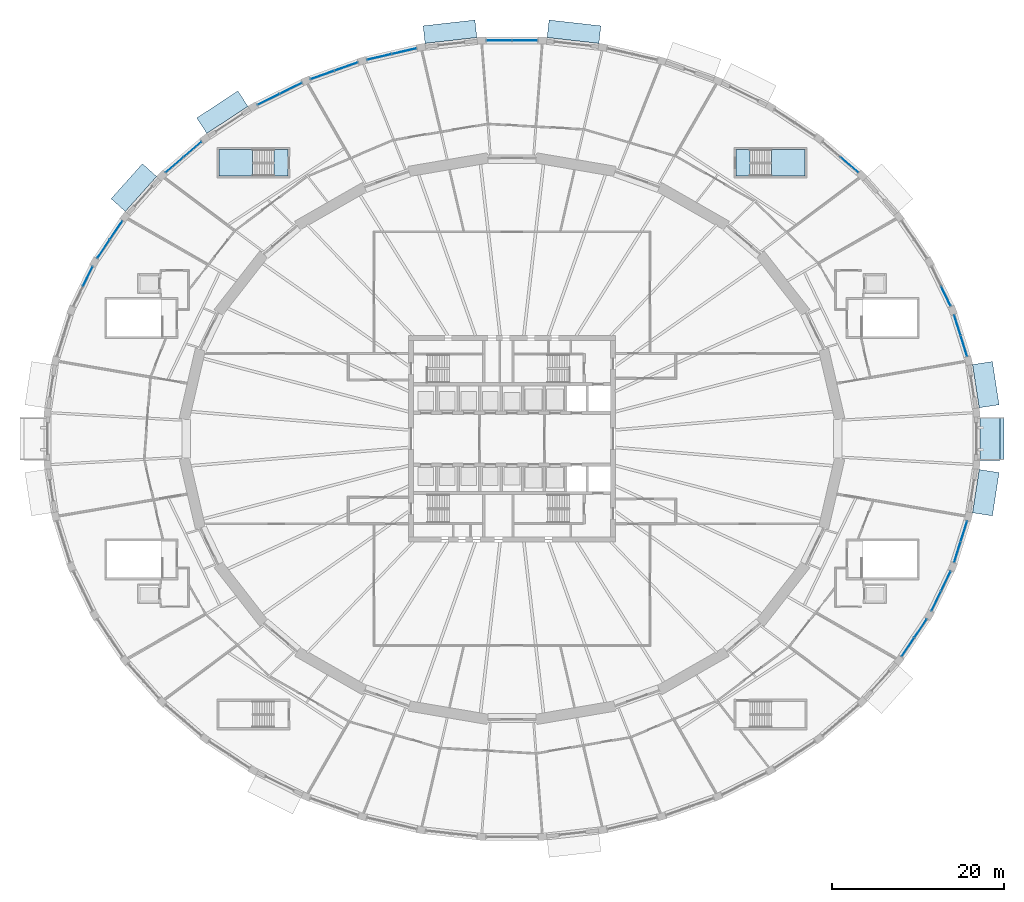
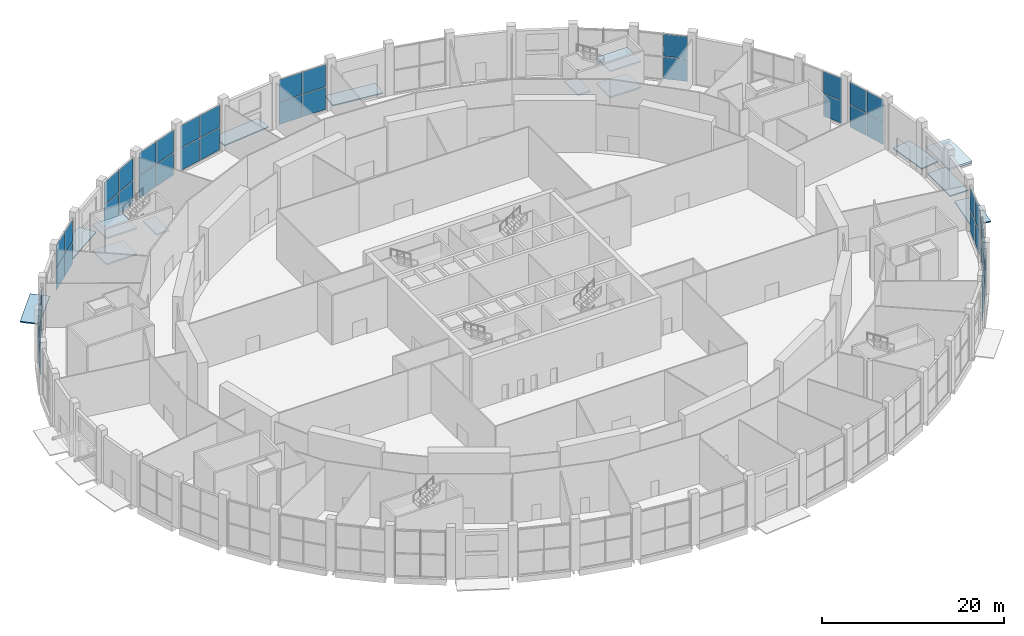
# One storey, part 17 of 33: 46 plates, 14 slabs, 15 elements without a shape of their own.
"""IFC4 building model written with IfcOpenShell, lengths in metres."""

from ifc_helpers import new_model, si_unit, direction, frame, origin, origin_2d, place, context, subcontext, project, spatial, polyline, rectangle, outline, extrude, material, layer, layer_set, type_object, element, aggregate, save


model = new_model("IFC4")

# Units and contexts
model_context = context("Model", 3, precision=1e-05, world=origin(), true_north=direction((0.0, 1.0)))
body_context = subcontext(model_context, "Body", "Model", "MODEL_VIEW")
ifc_project = project(units=[si_unit("LENGTHUNIT", "METRE"), si_unit("AREAUNIT", "SQUARE_METRE"), si_unit("VOLUMEUNIT", "CUBIC_METRE"), si_unit("PLANEANGLEUNIT", "RADIAN"), si_unit("MASSUNIT", "GRAM", prefix="KILO")], contexts=[model_context])

# Site, building, storey
site_placement = place(None, origin())
site = spatial("IfcSite", under=ifc_project, at=site_placement, CompositionType="ELEMENT")
building_placement = place(site_placement, origin())
building = spatial("IfcBuilding", under=site, at=building_placement, Name="Halqa Exchange Tower", CompositionType="ELEMENT")
storey_placement = place(building_placement, origin())
storey = spatial("IfcBuildingStorey", under=building, at=storey_placement, Name="L00", CompositionType="ELEMENT", Elevation=0.0)

# Slabs
ifc_material_1 = material(Name="Limestone cladding", Category="masonry")
ifc_layer_1 = layer(ifc_material_1, 0.0400390625)
ifc_material_2 = material(Name="Concrete C40/50 precast", Category="concrete")
ifc_layer_2 = layer(ifc_material_2, 0.2099609375)
ifc_layer_set_1 = layer_set([ifc_layer_1, ifc_layer_2], Name="Entrance canopy plate 250")
slab_type_1 = type_object("IfcSlabType", Name="Entrance canopy plate 250", PredefinedType="ROOF", material=ifc_layer_set_1)
slab_1_placement = place(storey_placement, frame((55.58447265625, 0.0, 3.449951171875), z_axis=(0.0, 0.0, 1.0), x_axis=(0.0, 1.0, 0.0)))
element("IfcSlab", 1, at=slab_1_placement, inside=storey, type_object=slab_type_1, Name="Station entrance canopy 9", PredefinedType="ROOF", context=body_context, shape_type="SweptSolid", body=[
    extrude(rectangle(XDim=4.996337890625, YDim=3.0, at=origin_2d()), origin(), (0.0, 0.0, 1.0), 0.25),
])
ifc_material_3 = material(Name="Granite paving on compacted base", Category="masonry")
ifc_layer_3 = layer(ifc_material_3, 0.14990234375)
ifc_layer_set_2 = layer_set([ifc_layer_3], Name="Granite paving on compacted base")
slab_type_2 = type_object("IfcSlabType", Name="Forecourt paving 150", PredefinedType="USERDEFINED", material=ifc_layer_set_2)
slab_2_placement = place(storey_placement, frame((0.0, 0.0, -0.14990234375)))
element("IfcSlab", 2, at=slab_2_placement, inside=storey, type_object=slab_type_2, Name="Forecourt paving 43", ObjectType="PAVING", PredefinedType="USERDEFINED", context=body_context, shape_type="SweptSolid", body=[
    extrude(outline(polyline([(54.203857421875, 3.5830078125), (53.43359375, 8.59912109375), (55.74365234375, 8.953857421875), (56.513916015625, 3.937744140625), (54.203857421875, 3.5830078125)])), origin(), (0.0, 0.0, 1.0), 0.14990234375),
])
slab_3_placement = place(storey_placement, frame((0.0, 0.0, -0.14990234375)))
element("IfcSlab", 3, at=slab_3_placement, inside=storey, type_object=slab_type_2, Name="Forecourt paving 80", ObjectType="PAVING", PredefinedType="USERDEFINED", context=body_context, shape_type="SweptSolid", body=[
    extrude(outline(polyline([(10.0830078125, 45.864013671875), (4.073486328125, 46.542236328125), (4.30322265625, 48.577392578125), (10.312744140625, 47.899169921875), (10.0830078125, 45.864013671875)])), origin(), (0.0, 0.0, 1.0), 0.14990234375),
])
slab_4_placement = place(storey_placement, frame((0.0, 0.0, -0.14990234375)))
element("IfcSlab", 4, at=slab_4_placement, inside=storey, type_object=slab_type_2, Name="Forecourt paving 2", ObjectType="PAVING", PredefinedType="USERDEFINED", context=body_context, shape_type="SweptSolid", body=[
    extrude(outline(polyline([(-4.073486328125, 46.542236328125), (-10.0830078125, 45.864013671875), (-10.312744140625, 47.899169921875), (-4.30322265625, 48.577392578125), (-4.073486328125, 46.542236328125)])), origin(), (0.0, 0.0, 1.0), 0.14990234375),
])
slab_5_placement = place(storey_placement, frame((0.0, 0.0, -0.14990234375)))
element("IfcSlab", 5, at=slab_5_placement, inside=storey, type_object=slab_type_2, Name="Forecourt paving 3", ObjectType="PAVING", PredefinedType="USERDEFINED", context=body_context, shape_type="SweptSolid", body=[
    extrude(outline(polyline([(-30.638427734375, 38.556396484375), (-35.40673828125, 35.419189453125), (-36.581787109375, 37.205078125), (-31.813232421875, 40.34228515625), (-30.638427734375, 38.556396484375)])), origin(), (0.0, 0.0, 1.0), 0.14990234375),
])
slab_6_placement = place(storey_placement, frame((0.0, 0.0, -0.14990234375)))
element("IfcSlab", 6, at=slab_6_placement, inside=storey, type_object=slab_type_2, Name="Forecourt paving 4", ObjectType="PAVING", PredefinedType="USERDEFINED", context=body_context, shape_type="SweptSolid", body=[
    extrude(outline(polyline([(-41.230712890625, 30.421875), (-44.864013671875, 26.3623046875), (-46.513916015625, 27.838623046875), (-42.880615234375, 31.8984375), (-41.230712890625, 30.421875)])), origin(), (0.0, 0.0, 1.0), 0.14990234375),
])
slab_7_placement = place(storey_placement, frame((0.0, 0.0, -0.14990234375)))
element("IfcSlab", 7, at=slab_7_placement, inside=storey, type_object=slab_type_2, Name="Forecourt paving 44", ObjectType="PAVING", PredefinedType="USERDEFINED", context=body_context, shape_type="SweptSolid", body=[
    extrude(outline(polyline([(53.43359375, -8.59912109375), (54.203857421875, -3.5830078125), (56.513916015625, -3.937744140625), (55.74365234375, -8.953857421875), (53.43359375, -8.59912109375)])), origin(), (0.0, 0.0, 1.0), 0.14990234375),
])
slab_8_placement = place(storey_placement, frame((0.0, 0.0, -0.14990234375)))
element("IfcSlab", 8, at=slab_8_placement, inside=storey, type_object=slab_type_2, Name="Forecourt paving 9", ObjectType="PAVING", PredefinedType="USERDEFINED", context=body_context, shape_type="SweptSolid", body=[
    extrude(outline(polyline([(54.284423828125, -2.5283203125), (54.284423828125, 2.5283203125), (56.6279296875, 2.5283203125), (56.6279296875, -2.5283203125), (54.284423828125, -2.5283203125)])), origin(), (0.0, 0.0, 1.0), 0.14990234375),
])

# Curtain wall, plates
ifc_material_4 = material(Name="Anodised aluminium and clear glass", Category="aluminium")
curtain_wall_type = type_object("IfcCurtainWallType", Name="Station concourse glazing", PredefinedType="NOTDEFINED", material=ifc_material_4)
curtain_wall_1_placement = place(storey_placement, origin())
curtain_wall_1 = element("IfcCurtainWall", 9, at=curtain_wall_1_placement, inside=storey, type_object=curtain_wall_type, Name="Station concourse glazing run P2", PredefinedType="NOTDEFINED")
ifc_material_5 = material(Name="Clear glass", Category="glass")
ifc_layer_4 = layer(ifc_material_5, 0.0400390625)
ifc_layer_set_3 = layer_set([ifc_layer_4], Name="Clear glass")
plate_type = type_object("IfcPlateType", Name="Laminated clear glass panel 40", PredefinedType="CURTAIN_PANEL", material=ifc_layer_set_3)
plate_1_placement = place(storey_placement, frame((52.4248046875, 10.7529296875, 0.080078125), z_axis=(0.0, 0.0, 1.0), x_axis=(-0.298302746613, 0.95447130463, 0.0)))
plate_1 = element("IfcPlate", 10, at=plate_1_placement, type_object=plate_type, Name="P2 panel 1.1", PredefinedType="CURTAIN_PANEL", context=body_context, shape_type="SweptSolid", body=[
    extrude(rectangle(XDim=2.444580078125, YDim=0.0400390625, at=origin_2d()), origin(), (0.0, 0.0, 1.0), 2.97998046875),
])
plate_2_placement = place(storey_placement, frame((52.4248046875, 10.7529296875, 3.139892578125), z_axis=(0.0, 0.0, 1.0), x_axis=(-0.298302746613, 0.95447130463, 0.0)))
plate_2 = element("IfcPlate", 11, at=plate_2_placement, type_object=plate_type, Name="P2 panel 1.2", PredefinedType="CURTAIN_PANEL", context=body_context, shape_type="SweptSolid", body=[
    extrude(rectangle(XDim=2.444580078125, YDim=0.0400390625, at=origin_2d()), origin(), (0.0, 0.0, 1.0), 2.97998046875),
])
plate_3_placement = place(storey_placement, frame((51.671875, 13.162353515625, 0.080078125), z_axis=(0.0, 0.0, 1.0), x_axis=(-0.298302746613, 0.95447130463, 0.0)))
plate_3 = element("IfcPlate", 12, at=plate_3_placement, type_object=plate_type, Name="P2 panel 2.1", PredefinedType="CURTAIN_PANEL", context=body_context, shape_type="SweptSolid", body=[
    extrude(rectangle(XDim=2.444580078125, YDim=0.0400390625, at=origin_2d()), origin(), (0.0, 0.0, 1.0), 2.97998046875),
])
plate_4_placement = place(storey_placement, frame((51.671875, 13.162353515625, 3.139892578125), z_axis=(0.0, 0.0, 1.0), x_axis=(-0.298302746613, 0.95447130463, 0.0)))
plate_4 = element("IfcPlate", 13, at=plate_4_placement, type_object=plate_type, Name="P2 panel 2.2", PredefinedType="CURTAIN_PANEL", context=body_context, shape_type="SweptSolid", body=[
    extrude(rectangle(XDim=2.444580078125, YDim=0.0400390625, at=origin_2d()), origin(), (0.0, 0.0, 1.0), 2.97998046875),
])
aggregate(curtain_wall_1, [plate_1, plate_2, plate_3, plate_4])

curtain_wall_2_placement = place(storey_placement, origin())
curtain_wall_2 = element("IfcCurtainWall", 14, at=curtain_wall_2_placement, inside=storey, type_object=curtain_wall_type, Name="Station concourse glazing run P3", PredefinedType="NOTDEFINED")
plate_5_placement = place(storey_placement, frame((50.341064453125, 16.524658203125, 0.080078125), z_axis=(0.0, 0.0, 1.0), x_axis=(-0.434989864727, 0.90043534892, 0.0)))
plate_5 = element("IfcPlate", 15, at=plate_5_placement, type_object=plate_type, Name="P3 panel 1.1", PredefinedType="CURTAIN_PANEL", context=body_context, shape_type="SweptSolid", body=[
    extrude(rectangle(XDim=2.487060546875, YDim=0.0400390625, at=origin_2d()), origin(), (0.0, 0.0, 1.0), 2.97998046875),
])
plate_6_placement = place(storey_placement, frame((50.341064453125, 16.524658203125, 3.139892578125), z_axis=(0.0, 0.0, 1.0), x_axis=(-0.434989864727, 0.90043534892, 0.0)))
plate_6 = element("IfcPlate", 16, at=plate_6_placement, type_object=plate_type, Name="P3 panel 1.2", PredefinedType="CURTAIN_PANEL", context=body_context, shape_type="SweptSolid", body=[
    extrude(rectangle(XDim=2.487060546875, YDim=0.0400390625, at=origin_2d()), origin(), (0.0, 0.0, 1.0), 2.97998046875),
])
aggregate(curtain_wall_2, [plate_5, plate_6])

curtain_wall_3_placement = place(storey_placement, origin())
curtain_wall_3 = element("IfcCurtainWall", 17, at=curtain_wall_3_placement, inside=storey, type_object=curtain_wall_type, Name="Station concourse glazing run P6", PredefinedType="NOTDEFINED")
plate_7_placement = place(storey_placement, frame((39.145751953125, 31.774169921875, 0.080078125), z_axis=(0.0, 0.0, 1.0), x_axis=(-0.759154109704, 0.650910929175, 0.0)))
plate_7 = element("IfcPlate", 18, at=plate_7_placement, type_object=plate_type, Name="P6 panel 1.1", PredefinedType="CURTAIN_PANEL", context=body_context, shape_type="SweptSolid", body=[
    extrude(rectangle(XDim=2.66943359375, YDim=0.0400390625, at=origin_2d()), origin(), (0.0, 0.0, 1.0), 2.97998046875),
])
plate_8_placement = place(storey_placement, frame((39.145751953125, 31.774169921875, 3.139892578125), z_axis=(0.0, 0.0, 1.0), x_axis=(-0.759154109704, 0.650910929175, 0.0)))
plate_8 = element("IfcPlate", 19, at=plate_8_placement, type_object=plate_type, Name="P6 panel 1.2", PredefinedType="CURTAIN_PANEL", context=body_context, shape_type="SweptSolid", body=[
    extrude(rectangle(XDim=2.66943359375, YDim=0.0400390625, at=origin_2d()), origin(), (0.0, 0.0, 1.0), 2.97998046875),
])
aggregate(curtain_wall_3, [plate_7, plate_8])

curtain_wall_4_placement = place(storey_placement, origin())
curtain_wall_4 = element("IfcCurtainWall", 20, at=curtain_wall_4_placement, inside=storey, type_object=curtain_wall_type, Name="Station concourse glazing run P12", PredefinedType="NOTDEFINED")
plate_9_placement = place(storey_placement, frame((1.495849609375, 46.200927734375, 0.080078125), z_axis=(0.0, 0.0, 1.0), x_axis=(-1.0, 0.0, 0.0)))
plate_9 = element("IfcPlate", 21, at=plate_9_placement, type_object=plate_type, Name="P12 panel 1.1", PredefinedType="CURTAIN_PANEL", context=body_context, shape_type="SweptSolid", body=[
    extrude(rectangle(XDim=2.911865234375, YDim=0.0400390625, at=origin_2d()), origin(), (0.0, 0.0, 1.0), 2.97998046875),
])
plate_10_placement = place(storey_placement, frame((1.495849609375, 46.200927734375, 3.139892578125), z_axis=(0.0, 0.0, 1.0), x_axis=(-1.0, 0.0, 0.0)))
plate_10 = element("IfcPlate", 22, at=plate_10_placement, type_object=plate_type, Name="P12 panel 1.2", PredefinedType="CURTAIN_PANEL", context=body_context, shape_type="SweptSolid", body=[
    extrude(rectangle(XDim=2.911865234375, YDim=0.0400390625, at=origin_2d()), origin(), (0.0, 0.0, 1.0), 2.97998046875),
])
plate_11_placement = place(storey_placement, frame((-1.495849609375, 46.200927734375, 0.080078125), z_axis=(0.0, 0.0, 1.0), x_axis=(-1.0, 0.0, 0.0)))
plate_11 = element("IfcPlate", 23, at=plate_11_placement, type_object=plate_type, Name="P12 panel 2.1", PredefinedType="CURTAIN_PANEL", context=body_context, shape_type="SweptSolid", body=[
    extrude(rectangle(XDim=2.911865234375, YDim=0.0400390625, at=origin_2d()), origin(), (0.0, 0.0, 1.0), 2.97998046875),
])
plate_12_placement = place(storey_placement, frame((-1.495849609375, 46.200927734375, 3.139892578125), z_axis=(0.0, 0.0, 1.0), x_axis=(-1.0, 0.0, 0.0)))
plate_12 = element("IfcPlate", 24, at=plate_12_placement, type_object=plate_type, Name="P12 panel 2.2", PredefinedType="CURTAIN_PANEL", context=body_context, shape_type="SweptSolid", body=[
    extrude(rectangle(XDim=2.911865234375, YDim=0.0400390625, at=origin_2d()), origin(), (0.0, 0.0, 1.0), 2.97998046875),
])
aggregate(curtain_wall_4, [plate_9, plate_10, plate_11, plate_12])

curtain_wall_5_placement = place(storey_placement, origin())
curtain_wall_5 = element("IfcCurtainWall", 25, at=curtain_wall_5_placement, inside=storey, type_object=curtain_wall_type, Name="Station concourse glazing run P14", PredefinedType="NOTDEFINED")
plate_13_placement = place(storey_placement, frame((-12.503662109375, 44.9580078125, 0.080078125), z_axis=(0.0, 0.0, 1.0), x_axis=(-0.974612891234, -0.223896655269, 0.0)))
plate_13 = element("IfcPlate", 26, at=plate_13_placement, type_object=plate_type, Name="P14 panel 1.1", PredefinedType="CURTAIN_PANEL", context=body_context, shape_type="SweptSolid", body=[
    extrude(rectangle(XDim=2.88037109375, YDim=0.0400390625, at=origin_2d()), origin(), (0.0, 0.0, 1.0), 2.97998046875),
])
plate_14_placement = place(storey_placement, frame((-12.503662109375, 44.9580078125, 3.139892578125), z_axis=(0.0, 0.0, 1.0), x_axis=(-0.974612891234, -0.223896655269, 0.0)))
plate_14 = element("IfcPlate", 27, at=plate_14_placement, type_object=plate_type, Name="P14 panel 1.2", PredefinedType="CURTAIN_PANEL", context=body_context, shape_type="SweptSolid", body=[
    extrude(rectangle(XDim=2.88037109375, YDim=0.0400390625, at=origin_2d()), origin(), (0.0, 0.0, 1.0), 2.97998046875),
])
plate_15_placement = place(storey_placement, frame((-15.388916015625, 44.295166015625, 0.080078125), z_axis=(0.0, 0.0, 1.0), x_axis=(-0.974612891234, -0.223896655269, 0.0)))
plate_15 = element("IfcPlate", 28, at=plate_15_placement, type_object=plate_type, Name="P14 panel 2.1", PredefinedType="CURTAIN_PANEL", context=body_context, shape_type="SweptSolid", body=[
    extrude(rectangle(XDim=2.88037109375, YDim=0.0400390625, at=origin_2d()), origin(), (0.0, 0.0, 1.0), 2.97998046875),
])
plate_16_placement = place(storey_placement, frame((-15.388916015625, 44.295166015625, 3.139892578125), z_axis=(0.0, 0.0, 1.0), x_axis=(-0.974612891234, -0.223896655269, 0.0)))
plate_16 = element("IfcPlate", 29, at=plate_16_placement, type_object=plate_type, Name="P14 panel 2.2", PredefinedType="CURTAIN_PANEL", context=body_context, shape_type="SweptSolid", body=[
    extrude(rectangle(XDim=2.88037109375, YDim=0.0400390625, at=origin_2d()), origin(), (0.0, 0.0, 1.0), 2.97998046875),
])
aggregate(curtain_wall_5, [plate_13, plate_14, plate_15, plate_16])

curtain_wall_6_placement = place(storey_placement, origin())
curtain_wall_6 = element("IfcCurtainWall", 30, at=curtain_wall_6_placement, inside=storey, type_object=curtain_wall_type, Name="Station concourse glazing run P15", PredefinedType="NOTDEFINED")
plate_17_placement = place(storey_placement, frame((-19.24365234375, 43.173095703125, 0.080078125), z_axis=(0.0, 0.0, 1.0), x_axis=(-0.942328875444, -0.334688348326, 0.0)))
plate_17 = element("IfcPlate", 31, at=plate_17_placement, type_object=plate_type, Name="P15 panel 1.1", PredefinedType="CURTAIN_PANEL", context=body_context, shape_type="SweptSolid", body=[
    extrude(rectangle(XDim=2.842529296875, YDim=0.0400390625, at=origin_2d()), origin(), (0.0, 0.0, 1.0), 2.97998046875),
])
plate_18_placement = place(storey_placement, frame((-19.24365234375, 43.173095703125, 3.139892578125), z_axis=(0.0, 0.0, 1.0), x_axis=(-0.942328875444, -0.334688348326, 0.0)))
plate_18 = element("IfcPlate", 32, at=plate_18_placement, type_object=plate_type, Name="P15 panel 1.2", PredefinedType="CURTAIN_PANEL", context=body_context, shape_type="SweptSolid", body=[
    extrude(rectangle(XDim=2.842529296875, YDim=0.0400390625, at=origin_2d()), origin(), (0.0, 0.0, 1.0), 2.97998046875),
])
plate_19_placement = place(storey_placement, frame((-21.99755859375, 42.195068359375, 0.080078125), z_axis=(0.0, 0.0, 1.0), x_axis=(-0.942328875444, -0.334688348326, 0.0)))
plate_19 = element("IfcPlate", 33, at=plate_19_placement, type_object=plate_type, Name="P15 panel 2.1", PredefinedType="CURTAIN_PANEL", context=body_context, shape_type="SweptSolid", body=[
    extrude(rectangle(XDim=2.842529296875, YDim=0.0400390625, at=origin_2d()), origin(), (0.0, 0.0, 1.0), 2.97998046875),
])
plate_20_placement = place(storey_placement, frame((-21.99755859375, 42.195068359375, 3.139892578125), z_axis=(0.0, 0.0, 1.0), x_axis=(-0.942328875444, -0.334688348326, 0.0)))
plate_20 = element("IfcPlate", 34, at=plate_20_placement, type_object=plate_type, Name="P15 panel 2.2", PredefinedType="CURTAIN_PANEL", context=body_context, shape_type="SweptSolid", body=[
    extrude(rectangle(XDim=2.842529296875, YDim=0.0400390625, at=origin_2d()), origin(), (0.0, 0.0, 1.0), 2.97998046875),
])
aggregate(curtain_wall_6, [plate_17, plate_18, plate_19, plate_20])

curtain_wall_7_placement = place(storey_placement, origin())
curtain_wall_7 = element("IfcCurtainWall", 35, at=curtain_wall_7_placement, inside=storey, type_object=curtain_wall_type, Name="Station concourse glazing run P16", PredefinedType="NOTDEFINED")
plate_21_placement = place(storey_placement, frame((-25.65478515625, 40.6484375, 0.080078125), z_axis=(0.0, 0.0, 1.0), x_axis=(-0.896198440934, -0.443653417058, 0.0)))
plate_21 = element("IfcPlate", 36, at=plate_21_placement, type_object=plate_type, Name="P16 panel 1.1", PredefinedType="CURTAIN_PANEL", context=body_context, shape_type="SweptSolid", body=[
    extrude(rectangle(XDim=2.79296875, YDim=0.0400390625, at=origin_2d()), origin(), (0.0, 0.0, 1.0), 2.97998046875),
])
plate_22_placement = place(storey_placement, frame((-25.65478515625, 40.6484375, 3.139892578125), z_axis=(0.0, 0.0, 1.0), x_axis=(-0.896198440934, -0.443653417058, 0.0)))
plate_22 = element("IfcPlate", 37, at=plate_22_placement, type_object=plate_type, Name="P16 panel 1.2", PredefinedType="CURTAIN_PANEL", context=body_context, shape_type="SweptSolid", body=[
    extrude(rectangle(XDim=2.79296875, YDim=0.0400390625, at=origin_2d()), origin(), (0.0, 0.0, 1.0), 2.97998046875),
])
plate_23_placement = place(storey_placement, frame((-28.2294921875, 39.373779296875, 0.080078125), z_axis=(0.0, 0.0, 1.0), x_axis=(-0.896198440934, -0.443653417058, 0.0)))
plate_23 = element("IfcPlate", 38, at=plate_23_placement, type_object=plate_type, Name="P16 panel 2.1", PredefinedType="CURTAIN_PANEL", context=body_context, shape_type="SweptSolid", body=[
    extrude(rectangle(XDim=2.79296875, YDim=0.0400390625, at=origin_2d()), origin(), (0.0, 0.0, 1.0), 2.97998046875),
])
plate_24_placement = place(storey_placement, frame((-28.2294921875, 39.373779296875, 3.139892578125), z_axis=(0.0, 0.0, 1.0), x_axis=(-0.896198440934, -0.443653417058, 0.0)))
plate_24 = element("IfcPlate", 39, at=plate_24_placement, type_object=plate_type, Name="P16 panel 2.2", PredefinedType="CURTAIN_PANEL", context=body_context, shape_type="SweptSolid", body=[
    extrude(rectangle(XDim=2.79296875, YDim=0.0400390625, at=origin_2d()), origin(), (0.0, 0.0, 1.0), 2.97998046875),
])
aggregate(curtain_wall_7, [plate_21, plate_22, plate_23, plate_24])

curtain_wall_8_placement = place(storey_placement, origin())
curtain_wall_8 = element("IfcCurtainWall", 40, at=curtain_wall_8_placement, inside=storey, type_object=curtain_wall_type, Name="Station concourse glazing run P18", PredefinedType="NOTDEFINED")
plate_25_placement = place(storey_placement, frame((-37.058349609375, 33.563720703125, 0.080078125), z_axis=(0.0, 0.0, 1.0), x_axis=(-0.759154109704, -0.650910929175, 0.0)))
plate_25 = element("IfcPlate", 41, at=plate_25_placement, type_object=plate_type, Name="P18 panel 1.1", PredefinedType="CURTAIN_PANEL", context=body_context, shape_type="SweptSolid", body=[
    extrude(rectangle(XDim=2.66943359375, YDim=0.0400390625, at=origin_2d()), origin(), (0.0, 0.0, 1.0), 2.97998046875),
])
plate_26_placement = place(storey_placement, frame((-37.058349609375, 33.563720703125, 3.139892578125), z_axis=(0.0, 0.0, 1.0), x_axis=(-0.759154109704, -0.650910929175, 0.0)))
plate_26 = element("IfcPlate", 42, at=plate_26_placement, type_object=plate_type, Name="P18 panel 1.2", PredefinedType="CURTAIN_PANEL", context=body_context, shape_type="SweptSolid", body=[
    extrude(rectangle(XDim=2.66943359375, YDim=0.0400390625, at=origin_2d()), origin(), (0.0, 0.0, 1.0), 2.97998046875),
])
plate_27_placement = place(storey_placement, frame((-39.145751953125, 31.774169921875, 0.080078125), z_axis=(0.0, 0.0, 1.0), x_axis=(-0.759154109704, -0.650910929175, 0.0)))
plate_27 = element("IfcPlate", 43, at=plate_27_placement, type_object=plate_type, Name="P18 panel 2.1", PredefinedType="CURTAIN_PANEL", context=body_context, shape_type="SweptSolid", body=[
    extrude(rectangle(XDim=2.66943359375, YDim=0.0400390625, at=origin_2d()), origin(), (0.0, 0.0, 1.0), 2.97998046875),
])
plate_28_placement = place(storey_placement, frame((-39.145751953125, 31.774169921875, 3.139892578125), z_axis=(0.0, 0.0, 1.0), x_axis=(-0.759154109704, -0.650910929175, 0.0)))
plate_28 = element("IfcPlate", 44, at=plate_28_placement, type_object=plate_type, Name="P18 panel 2.2", PredefinedType="CURTAIN_PANEL", context=body_context, shape_type="SweptSolid", body=[
    extrude(rectangle(XDim=2.66943359375, YDim=0.0400390625, at=origin_2d()), origin(), (0.0, 0.0, 1.0), 2.97998046875),
])
aggregate(curtain_wall_8, [plate_25, plate_26, plate_27, plate_28])

curtain_wall_9_placement = place(storey_placement, origin())
curtain_wall_9 = element("IfcCurtainWall", 45, at=curtain_wall_9_placement, inside=storey, type_object=curtain_wall_type, Name="Station concourse glazing run P20", PredefinedType="NOTDEFINED")
plate_29_placement = place(storey_placement, frame((-45.93310546875, 24.187744140625, 0.080078125), z_axis=(0.0, 0.0, 1.0), x_axis=(-0.55852230535, -0.8294895023, 0.0)))
plate_29 = element("IfcPlate", 46, at=plate_29_placement, type_object=plate_type, Name="P20 panel 1.1", PredefinedType="CURTAIN_PANEL", context=body_context, shape_type="SweptSolid", body=[
    extrude(rectangle(XDim=2.54150390625, YDim=0.0400390625, at=origin_2d()), origin(), (0.0, 0.0, 1.0), 2.97998046875),
])
plate_30_placement = place(storey_placement, frame((-45.93310546875, 24.187744140625, 3.139892578125), z_axis=(0.0, 0.0, 1.0), x_axis=(-0.55852230535, -0.8294895023, 0.0)))
plate_30 = element("IfcPlate", 47, at=plate_30_placement, type_object=plate_type, Name="P20 panel 1.2", PredefinedType="CURTAIN_PANEL", context=body_context, shape_type="SweptSolid", body=[
    extrude(rectangle(XDim=2.54150390625, YDim=0.0400390625, at=origin_2d()), origin(), (0.0, 0.0, 1.0), 2.97998046875),
])
plate_31_placement = place(storey_placement, frame((-47.3974609375, 22.01318359375, 0.080078125), z_axis=(0.0, 0.0, 1.0), x_axis=(-0.55852230535, -0.8294895023, 0.0)))
plate_31 = element("IfcPlate", 48, at=plate_31_placement, type_object=plate_type, Name="P20 panel 2.1", PredefinedType="CURTAIN_PANEL", context=body_context, shape_type="SweptSolid", body=[
    extrude(rectangle(XDim=2.54150390625, YDim=0.0400390625, at=origin_2d()), origin(), (0.0, 0.0, 1.0), 2.97998046875),
])
plate_32_placement = place(storey_placement, frame((-47.3974609375, 22.01318359375, 3.139892578125), z_axis=(0.0, 0.0, 1.0), x_axis=(-0.55852230535, -0.8294895023, 0.0)))
plate_32 = element("IfcPlate", 49, at=plate_32_placement, type_object=plate_type, Name="P20 panel 2.2", PredefinedType="CURTAIN_PANEL", context=body_context, shape_type="SweptSolid", body=[
    extrude(rectangle(XDim=2.54150390625, YDim=0.0400390625, at=origin_2d()), origin(), (0.0, 0.0, 1.0), 2.97998046875),
])
aggregate(curtain_wall_9, [plate_29, plate_30, plate_31, plate_32])

curtain_wall_10_placement = place(storey_placement, origin())
curtain_wall_10 = element("IfcCurtainWall", 50, at=curtain_wall_10_placement, inside=storey, type_object=curtain_wall_type, Name="Station concourse glazing run P21", PredefinedType="NOTDEFINED")
plate_33_placement = place(storey_placement, frame((-49.224365234375, 18.8359375, 0.080078125), z_axis=(0.0, 0.0, 1.0), x_axis=(-0.434989864727, -0.90043534892, 0.0)))
plate_33 = element("IfcPlate", 51, at=plate_33_placement, type_object=plate_type, Name="P21 panel 1.1", PredefinedType="CURTAIN_PANEL", context=body_context, shape_type="SweptSolid", body=[
    extrude(rectangle(XDim=2.487060546875, YDim=0.0400390625, at=origin_2d()), origin(), (0.0, 0.0, 1.0), 2.97998046875),
])
plate_34_placement = place(storey_placement, frame((-49.224365234375, 18.8359375, 3.139892578125), z_axis=(0.0, 0.0, 1.0), x_axis=(-0.434989864727, -0.90043534892, 0.0)))
plate_34 = element("IfcPlate", 52, at=plate_34_placement, type_object=plate_type, Name="P21 panel 1.2", PredefinedType="CURTAIN_PANEL", context=body_context, shape_type="SweptSolid", body=[
    extrude(rectangle(XDim=2.487060546875, YDim=0.0400390625, at=origin_2d()), origin(), (0.0, 0.0, 1.0), 2.97998046875),
])
aggregate(curtain_wall_10, [plate_33, plate_34])

curtain_wall_11_placement = place(storey_placement, origin())
curtain_wall_11 = element("IfcCurtainWall", 53, at=curtain_wall_11_placement, inside=storey, type_object=curtain_wall_type, Name="Station concourse glazing run P44", PredefinedType="NOTDEFINED")
plate_35_placement = place(storey_placement, frame((45.93310546875, -24.187744140625, 0.080078125), z_axis=(0.0, 0.0, 1.0), x_axis=(0.55852230535, 0.8294895023, 0.0)))
plate_35 = element("IfcPlate", 54, at=plate_35_placement, type_object=plate_type, Name="P44 panel 1.1", PredefinedType="CURTAIN_PANEL", context=body_context, shape_type="SweptSolid", body=[
    extrude(rectangle(XDim=2.54150390625, YDim=0.0400390625, at=origin_2d()), origin(), (0.0, 0.0, 1.0), 2.97998046875),
])
plate_36_placement = place(storey_placement, frame((45.93310546875, -24.187744140625, 3.139892578125), z_axis=(0.0, 0.0, 1.0), x_axis=(0.55852230535, 0.8294895023, 0.0)))
plate_36 = element("IfcPlate", 55, at=plate_36_placement, type_object=plate_type, Name="P44 panel 1.2", PredefinedType="CURTAIN_PANEL", context=body_context, shape_type="SweptSolid", body=[
    extrude(rectangle(XDim=2.54150390625, YDim=0.0400390625, at=origin_2d()), origin(), (0.0, 0.0, 1.0), 2.97998046875),
])
plate_37_placement = place(storey_placement, frame((47.3974609375, -22.01318359375, 0.080078125), z_axis=(0.0, 0.0, 1.0), x_axis=(0.55852230535, 0.8294895023, 0.0)))
plate_37 = element("IfcPlate", 56, at=plate_37_placement, type_object=plate_type, Name="P44 panel 2.1", PredefinedType="CURTAIN_PANEL", context=body_context, shape_type="SweptSolid", body=[
    extrude(rectangle(XDim=2.54150390625, YDim=0.0400390625, at=origin_2d()), origin(), (0.0, 0.0, 1.0), 2.97998046875),
])
plate_38_placement = place(storey_placement, frame((47.3974609375, -22.01318359375, 3.139892578125), z_axis=(0.0, 0.0, 1.0), x_axis=(0.55852230535, 0.8294895023, 0.0)))
plate_38 = element("IfcPlate", 57, at=plate_38_placement, type_object=plate_type, Name="P44 panel 2.2", PredefinedType="CURTAIN_PANEL", context=body_context, shape_type="SweptSolid", body=[
    extrude(rectangle(XDim=2.54150390625, YDim=0.0400390625, at=origin_2d()), origin(), (0.0, 0.0, 1.0), 2.97998046875),
])
aggregate(curtain_wall_11, [plate_35, plate_36, plate_37, plate_38])

curtain_wall_12_placement = place(storey_placement, origin())
curtain_wall_12 = element("IfcCurtainWall", 58, at=curtain_wall_12_placement, inside=storey, type_object=curtain_wall_type, Name="Station concourse glazing run P45", PredefinedType="NOTDEFINED")
plate_39_placement = place(storey_placement, frame((49.224365234375, -18.8359375, 0.080078125), z_axis=(0.0, 0.0, 1.0), x_axis=(0.434989864727, 0.90043534892, 0.0)))
plate_39 = element("IfcPlate", 59, at=plate_39_placement, type_object=plate_type, Name="P45 panel 1.1", PredefinedType="CURTAIN_PANEL", context=body_context, shape_type="SweptSolid", body=[
    extrude(rectangle(XDim=2.487060546875, YDim=0.0400390625, at=origin_2d()), origin(), (0.0, 0.0, 1.0), 2.97998046875),
])
plate_40_placement = place(storey_placement, frame((49.224365234375, -18.8359375, 3.139892578125), z_axis=(0.0, 0.0, 1.0), x_axis=(0.434989864727, 0.90043534892, 0.0)))
plate_40 = element("IfcPlate", 60, at=plate_40_placement, type_object=plate_type, Name="P45 panel 1.2", PredefinedType="CURTAIN_PANEL", context=body_context, shape_type="SweptSolid", body=[
    extrude(rectangle(XDim=2.487060546875, YDim=0.0400390625, at=origin_2d()), origin(), (0.0, 0.0, 1.0), 2.97998046875),
])
plate_41_placement = place(storey_placement, frame((50.341064453125, -16.524658203125, 0.080078125), z_axis=(0.0, 0.0, 1.0), x_axis=(0.434989864727, 0.90043534892, 0.0)))
plate_41 = element("IfcPlate", 61, at=plate_41_placement, type_object=plate_type, Name="P45 panel 2.1", PredefinedType="CURTAIN_PANEL", context=body_context, shape_type="SweptSolid", body=[
    extrude(rectangle(XDim=2.487060546875, YDim=0.0400390625, at=origin_2d()), origin(), (0.0, 0.0, 1.0), 2.97998046875),
])
plate_42_placement = place(storey_placement, frame((50.341064453125, -16.524658203125, 3.139892578125), z_axis=(0.0, 0.0, 1.0), x_axis=(0.434989864727, 0.90043534892, 0.0)))
plate_42 = element("IfcPlate", 62, at=plate_42_placement, type_object=plate_type, Name="P45 panel 2.2", PredefinedType="CURTAIN_PANEL", context=body_context, shape_type="SweptSolid", body=[
    extrude(rectangle(XDim=2.487060546875, YDim=0.0400390625, at=origin_2d()), origin(), (0.0, 0.0, 1.0), 2.97998046875),
])
aggregate(curtain_wall_12, [plate_39, plate_40, plate_41, plate_42])

curtain_wall_13_placement = place(storey_placement, origin())
curtain_wall_13 = element("IfcCurtainWall", 63, at=curtain_wall_13_placement, inside=storey, type_object=curtain_wall_type, Name="Station concourse glazing run P46", PredefinedType="NOTDEFINED")
plate_43_placement = place(storey_placement, frame((51.671875, -13.162353515625, 0.080078125), z_axis=(0.0, 0.0, 1.0), x_axis=(0.298302746613, 0.95447130463, 0.0)))
plate_43 = element("IfcPlate", 64, at=plate_43_placement, type_object=plate_type, Name="P46 panel 1.1", PredefinedType="CURTAIN_PANEL", context=body_context, shape_type="SweptSolid", body=[
    extrude(rectangle(XDim=2.444580078125, YDim=0.0400390625, at=origin_2d()), origin(), (0.0, 0.0, 1.0), 2.97998046875),
])
plate_44_placement = place(storey_placement, frame((51.671875, -13.162353515625, 3.139892578125), z_axis=(0.0, 0.0, 1.0), x_axis=(0.298302746613, 0.95447130463, 0.0)))
plate_44 = element("IfcPlate", 65, at=plate_44_placement, type_object=plate_type, Name="P46 panel 1.2", PredefinedType="CURTAIN_PANEL", context=body_context, shape_type="SweptSolid", body=[
    extrude(rectangle(XDim=2.444580078125, YDim=0.0400390625, at=origin_2d()), origin(), (0.0, 0.0, 1.0), 2.97998046875),
])
plate_45_placement = place(storey_placement, frame((52.4248046875, -10.7529296875, 0.080078125), z_axis=(0.0, 0.0, 1.0), x_axis=(0.298302746613, 0.95447130463, 0.0)))
plate_45 = element("IfcPlate", 66, at=plate_45_placement, type_object=plate_type, Name="P46 panel 2.1", PredefinedType="CURTAIN_PANEL", context=body_context, shape_type="SweptSolid", body=[
    extrude(rectangle(XDim=2.444580078125, YDim=0.0400390625, at=origin_2d()), origin(), (0.0, 0.0, 1.0), 2.97998046875),
])
plate_46_placement = place(storey_placement, frame((52.4248046875, -10.7529296875, 3.139892578125), z_axis=(0.0, 0.0, 1.0), x_axis=(0.298302746613, 0.95447130463, 0.0)))
plate_46 = element("IfcPlate", 67, at=plate_46_placement, type_object=plate_type, Name="P46 panel 2.2", PredefinedType="CURTAIN_PANEL", context=body_context, shape_type="SweptSolid", body=[
    extrude(rectangle(XDim=2.444580078125, YDim=0.0400390625, at=origin_2d()), origin(), (0.0, 0.0, 1.0), 2.97998046875),
])
aggregate(curtain_wall_13, [plate_43, plate_44, plate_45, plate_46])

# Stair, slabs
ifc_material_6 = material(Name="Concrete C30/37", Category="concrete")
stair_type = type_object("IfcStairType", Name="Exit stair 1400 wide", PredefinedType="HALF_TURN_STAIR", material=ifc_material_6)
stair_1_placement = place(storey_placement, origin())
stair_1 = element("IfcStair", 68, at=stair_1_placement, inside=storey, type_object=stair_type, Name="Exit stair PS1", PredefinedType="HALF_TURN_STAIR")
ifc_layer_5 = layer(ifc_material_6, 0.199951171875)
ifc_layer_set_4 = layer_set([ifc_layer_5], Name="Concrete C30/37")
slab_type_3 = type_object("IfcSlabType", Name="Stair landing 200 slab", PredefinedType="LANDING", material=ifc_layer_set_4)
slab_9_placement = place(storey_placement, frame((0.0, 0.0, 1.550048828125)))
slab_9 = element("IfcSlab", 69, at=slab_9_placement, type_object=slab_type_3, Name="PS1 landing 1", PredefinedType="LANDING", context=body_context, shape_type="SweptSolid", body=[
    extrude(outline(polyline([(30.1201171875, 30.47509765625), (34.0, 30.47509765625), (34.0, 33.52490234375), (30.1201171875, 33.52490234375), (30.1201171875, 30.47509765625)])), origin(), (0.0, 0.0, 1.0), 0.199951171875),
])
slab_10_placement = place(storey_placement, frame((0.0, 0.0, 3.300048828125)))
slab_10 = element("IfcSlab", 70, at=slab_10_placement, type_object=slab_type_3, Name="PS1 landing 2", PredefinedType="LANDING", context=body_context, shape_type="SweptSolid", body=[
    extrude(outline(polyline([(26.0, 30.47509765625), (27.60009765625, 30.47509765625), (27.60009765625, 33.52490234375), (26.0, 33.52490234375), (26.0, 30.47509765625)])), origin(), (0.0, 0.0, 1.0), 0.199951171875),
])
slab_11_placement = place(storey_placement, frame((0.0, 0.0, 5.050048828125)))
slab_11 = element("IfcSlab", 71, at=slab_11_placement, type_object=slab_type_3, Name="PS1 landing 3", PredefinedType="LANDING", context=body_context, shape_type="SweptSolid", body=[
    extrude(outline(polyline([(30.1201171875, 30.47509765625), (34.0, 30.47509765625), (34.0, 33.52490234375), (30.1201171875, 33.52490234375), (30.1201171875, 30.47509765625)])), origin(), (0.0, 0.0, 1.0), 0.199951171875),
])
aggregate(stair_1, [slab_9, slab_10, slab_11])

stair_2_placement = place(storey_placement, origin())
stair_2 = element("IfcStair", 72, at=stair_2_placement, inside=storey, type_object=stair_type, Name="Exit stair PS3", PredefinedType="HALF_TURN_STAIR")
slab_12_placement = place(storey_placement, frame((0.0, 0.0, 1.550048828125)))
slab_12 = element("IfcSlab", 73, at=slab_12_placement, type_object=slab_type_3, Name="PS3 landing 1", PredefinedType="LANDING", context=body_context, shape_type="SweptSolid", body=[
    extrude(outline(polyline([(-34.0, 30.47509765625), (-30.1201171875, 30.47509765625), (-30.1201171875, 33.52490234375), (-34.0, 33.52490234375), (-34.0, 30.47509765625)])), origin(), (0.0, 0.0, 1.0), 0.199951171875),
])
slab_13_placement = place(storey_placement, frame((0.0, 0.0, 3.300048828125)))
slab_13 = element("IfcSlab", 74, at=slab_13_placement, type_object=slab_type_3, Name="PS3 landing 2", PredefinedType="LANDING", context=body_context, shape_type="SweptSolid", body=[
    extrude(outline(polyline([(-27.60009765625, 30.47509765625), (-26.0, 30.47509765625), (-26.0, 33.52490234375), (-27.60009765625, 33.52490234375), (-27.60009765625, 30.47509765625)])), origin(), (0.0, 0.0, 1.0), 0.199951171875),
])
slab_14_placement = place(storey_placement, frame((0.0, 0.0, 5.050048828125)))
slab_14 = element("IfcSlab", 75, at=slab_14_placement, type_object=slab_type_3, Name="PS3 landing 3", PredefinedType="LANDING", context=body_context, shape_type="SweptSolid", body=[
    extrude(outline(polyline([(-34.0, 30.47509765625), (-30.1201171875, 30.47509765625), (-30.1201171875, 33.52490234375), (-34.0, 33.52490234375), (-34.0, 30.47509765625)])), origin(), (0.0, 0.0, 1.0), 0.199951171875),
])
aggregate(stair_2, [slab_12, slab_13, slab_14])

save(model, "model.ifc")
